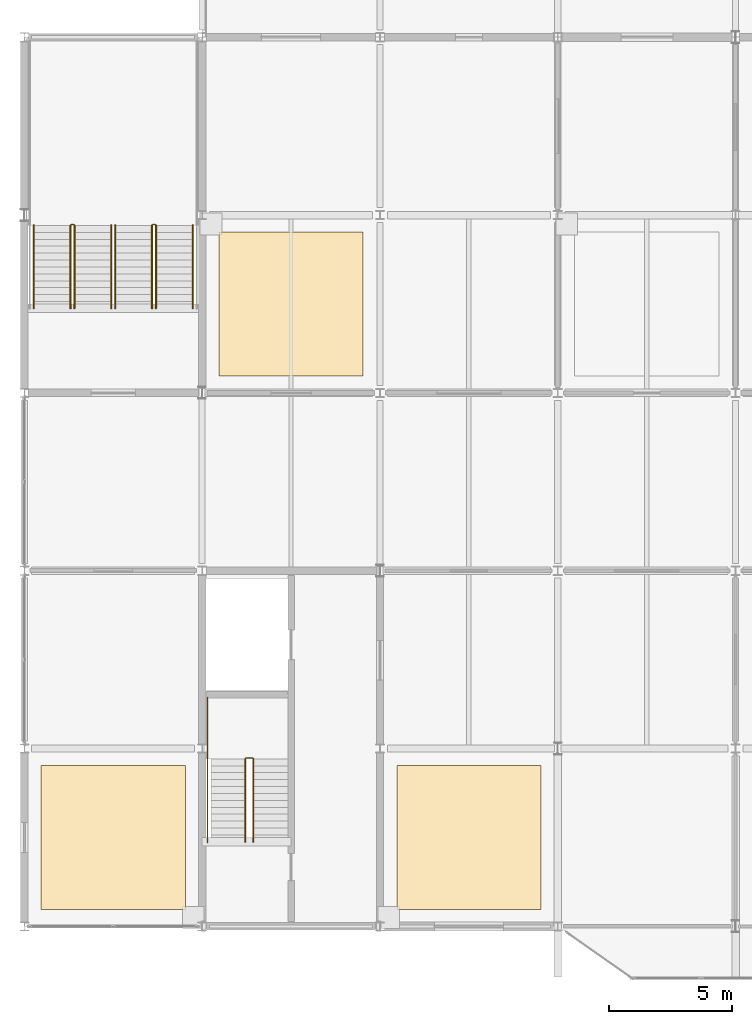
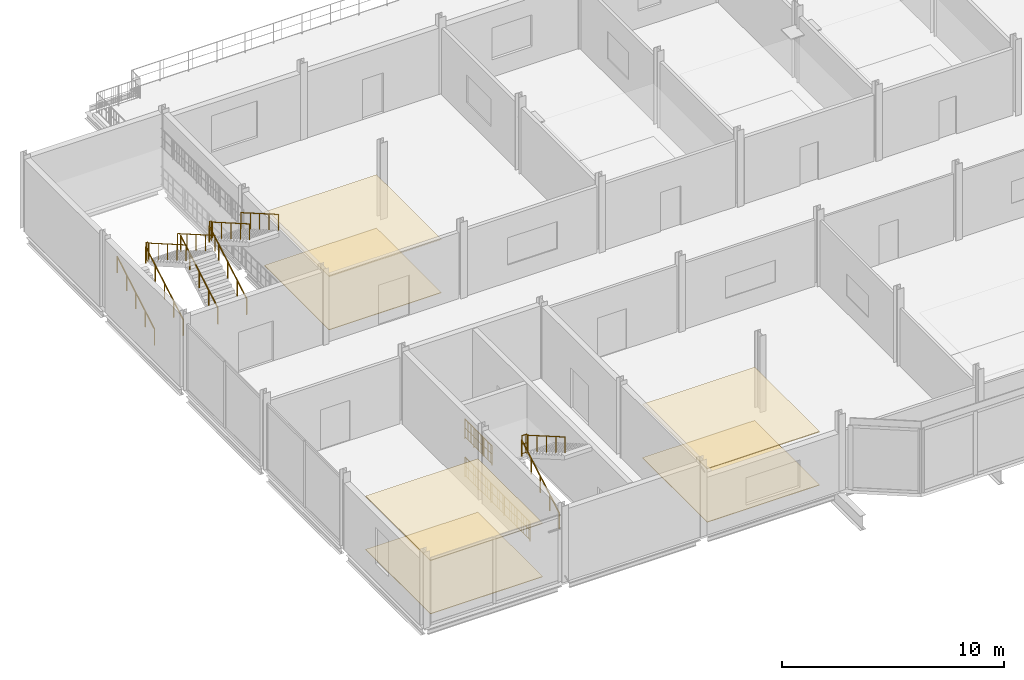
# One storey, part 23 of 26: 15 railings, 6 coverings.
"""IFC4 building model written with IfcOpenShell, lengths in metres."""

from ifc_helpers import new_model, si_unit, direction, frame, origin, origin_2d, place, context, subcontext, project, spatial, polyline, circle, outline, extrude, material, layer, layer_set, type_object, element, save


model = new_model("IFC4")

# Units and contexts
model_context = context("Model", 3, precision=1e-05, world=origin(), true_north=direction((0.0, 1.0)))
body_context = subcontext(model_context, "Body", "Model", "MODEL_VIEW")
ifc_project = project(units=[si_unit("LENGTHUNIT", "METRE"), si_unit("AREAUNIT", "SQUARE_METRE"), si_unit("VOLUMEUNIT", "CUBIC_METRE"), si_unit("PLANEANGLEUNIT", "RADIAN"), si_unit("MASSUNIT", "GRAM", prefix="KILO")], contexts=[model_context])

# Site, building, storey
site_placement = place(None, origin())
site = spatial("IfcSite", under=ifc_project, at=site_placement, CompositionType="ELEMENT")
building_placement = place(site_placement, origin())
building = spatial("IfcBuilding", under=site, at=building_placement, Name="Vesperath Aquatics Centre", CompositionType="ELEMENT")
storey_placement = place(building_placement, frame((0.0, 0.0, 19.199951171875)))
storey = spatial("IfcBuildingStorey", under=building, at=storey_placement, Name="L04", CompositionType="ELEMENT", Elevation=19.199951171875)

# Coverings
ifc_material_1 = material(Name="Perforated moisture-resistant acoustic mineral-fibre ceiling", Category="gypsum")
ifc_layer_1 = layer(ifc_material_1, 0.044921875)
ifc_layer_set_1 = layer_set([ifc_layer_1], Name="Perforated moisture-resistant acoustic mineral-fibre ceiling")
covering_type_1 = type_object("IfcCoveringType", Name="CV-CLG01", PredefinedType="CEILING", material=ifc_layer_set_1)
covering_1_placement = place(storey_placement, frame((0.0, 0.0, 2.925048828125)))
element("IfcCovering", 1, at=covering_1_placement, inside=storey, type_object=covering_type_1, Name="Acoustic Suspended Ceiling CLG1 L04_SPA_REC", PredefinedType="CEILING", context=body_context, shape_type="SweptSolid", body=[
    extrude(outline(polyline([(115.8798828125, 0.679931640625), (121.719970703125, 0.679931640625), (121.719970703125, 6.52001953125), (115.8798828125, 6.52001953125), (115.8798828125, 0.679931640625)])), origin(), (0.0, 0.0, 1.0), 0.044921875),
])
covering_2_placement = place(storey_placement, frame((0.0, 0.0, 2.925048828125)))
element("IfcCovering", 2, at=covering_2_placement, inside=storey, type_object=covering_type_1, Name="Acoustic Suspended Ceiling CLG1 L04_SAUNA", PredefinedType="CEILING", context=body_context, shape_type="SweptSolid", body=[
    extrude(outline(polyline([(130.280029296875, 0.679931640625), (136.1201171875, 0.679931640625), (136.1201171875, 6.52001953125), (130.280029296875, 6.52001953125), (130.280029296875, 0.679931640625)])), origin(), (0.0, 0.0, 1.0), 0.044921875),
])
covering_3_placement = place(storey_placement, frame((0.0, 0.0, 2.925048828125)))
element("IfcCovering", 3, at=covering_3_placement, inside=storey, type_object=covering_type_1, Name="Acoustic Suspended Ceiling CLG1 L04_SEMINAR_1", PredefinedType="CEILING", context=body_context, shape_type="SweptSolid", body=[
    extrude(outline(polyline([(123.080078125, 22.280029296875), (128.919921875, 22.280029296875), (128.919921875, 28.1201171875), (123.080078125, 28.1201171875), (123.080078125, 22.280029296875)])), origin(), (0.0, 0.0, 1.0), 0.044921875),
])
ifc_material_2 = material(Name="Slip-resistant vitrified ceramic and terrazzo flooring", Category="ceramic")
ifc_layer_2 = layer(ifc_material_2, 0.030029296875)
ifc_layer_set_2 = layer_set([ifc_layer_2], Name="Slip-resistant vitrified ceramic and terrazzo flooring")
covering_type_2 = type_object("IfcCoveringType", Name="CV-FLR01", PredefinedType="FLOORING", material=ifc_layer_set_2)
covering_4_placement = place(storey_placement, origin())
element("IfcCovering", 4, at=covering_4_placement, inside=storey, type_object=covering_type_2, Name="Slip-Resistant Floor Finish FLR1 L04_SPA_REC", PredefinedType="FLOORING", context=body_context, shape_type="SweptSolid", body=[
    extrude(outline(polyline([(115.8798828125, 0.679931640625), (121.719970703125, 0.679931640625), (121.719970703125, 6.52001953125), (115.8798828125, 6.52001953125), (115.8798828125, 0.679931640625)])), origin(), (0.0, 0.0, 1.0), 0.030029296875),
])
covering_5_placement = place(storey_placement, origin())
element("IfcCovering", 5, at=covering_5_placement, inside=storey, type_object=covering_type_2, Name="Slip-Resistant Floor Finish FLR1 L04_SAUNA", PredefinedType="FLOORING", context=body_context, shape_type="SweptSolid", body=[
    extrude(outline(polyline([(130.280029296875, 0.679931640625), (136.1201171875, 0.679931640625), (136.1201171875, 6.52001953125), (130.280029296875, 6.52001953125), (130.280029296875, 0.679931640625)])), origin(), (0.0, 0.0, 1.0), 0.030029296875),
])
covering_6_placement = place(storey_placement, origin())
element("IfcCovering", 6, at=covering_6_placement, inside=storey, type_object=covering_type_2, Name="Slip-Resistant Floor Finish FLR1 L04_SEMINAR_1", PredefinedType="FLOORING", context=body_context, shape_type="SweptSolid", body=[
    extrude(outline(polyline([(123.080078125, 22.280029296875), (128.919921875, 22.280029296875), (128.919921875, 28.1201171875), (123.080078125, 28.1201171875), (123.080078125, 22.280029296875)])), origin(), (0.0, 0.0, 1.0), 0.030029296875),
])

# Railings
ifc_material_3 = material(Name="Powder-coated galvanized steel safety guard", Category="steel")
railing_type_1 = type_object("IfcRailingType", Name="RL-GRD01", PredefinedType="GUARDRAIL", material=ifc_material_3)
railing_1_placement = place(storey_placement, frame((124.179931640625, 6.820068359375, 2.10009765625)))
element("IfcRailing", 7, at=railing_1_placement, inside=storey, type_object=railing_type_1, Name="Stair ST5 Half-Landing Slot Guard GR02 L04", PredefinedType="GUARDRAIL", context=body_context, shape_type="SweptSolid", body=[
    extrude(circle(Radius=0.02392578125, at=origin_2d()), frame((0.0, 0.0, 1.0859375), z_axis=(1.0, 0.0, 0.0), x_axis=(0.0, 1.0, 0.0)), (0.0, 0.0, 1.0), 0.260009765625),
    extrude(circle(Radius=0.01611328125, at=origin_2d()), frame((0.0, 0.0, 0.10009765625), z_axis=(1.0, 0.0, 0.0), x_axis=(0.0, 1.0, 0.0)), (0.0, 0.0, 1.0), 0.260009765625),
    extrude(circle(Radius=0.01611328125, at=origin_2d()), frame((0.0, 0.0, 0.610595703125), z_axis=(1.0, 0.0, 0.0), x_axis=(0.0, 1.0, 0.0)), (0.0, 0.0, 1.0), 0.260009765625),
    extrude(circle(Radius=0.009033203125, at=origin_2d()), frame((0.086669921875, 0.0, 0.10009765625)), (0.0, 0.0, 1.0), 0.9619140625),
    extrude(circle(Radius=0.009033203125, at=origin_2d()), frame((0.17333984375, 0.0, 0.10009765625)), (0.0, 0.0, 1.0), 0.9619140625),
    extrude(circle(Radius=0.02197265625, at=origin_2d()), origin(), (0.0, 0.0, 1.0), 1.0859375),
    extrude(circle(Radius=0.02197265625, at=origin_2d()), frame((0.260009765625, 0.0, 0.0)), (0.0, 0.0, 1.0), 1.0859375),
])
railing_2_placement = place(storey_placement, frame((122.6201171875, 6.820068359375, 2.10009765625)))
element("IfcRailing", 8, at=railing_2_placement, inside=storey, type_object=railing_type_1, Name="Stair ST5 Half-Landing Wall Guard GR02 L04", PredefinedType="GUARDRAIL", context=body_context, shape_type="SweptSolid", body=[
    extrude(circle(Radius=0.02392578125, at=origin_2d()), frame((0.0, 0.0, 1.0859375), z_axis=(0.0, 1.0, 0.0), x_axis=(-1.0, 0.0, 0.0)), (0.0, 0.0, 1.0), 2.43994140625),
    extrude(circle(Radius=0.01611328125, at=origin_2d()), frame((0.0, 0.0, 0.10009765625), z_axis=(0.0, 1.0, 0.0), x_axis=(-1.0, 0.0, 0.0)), (0.0, 0.0, 1.0), 2.43994140625),
    extrude(circle(Radius=0.01611328125, at=origin_2d()), frame((0.0, 0.0, 0.610595703125), z_axis=(0.0, 1.0, 0.0), x_axis=(-1.0, 0.0, 0.0)), (0.0, 0.0, 1.0), 2.43994140625),
    extrude(circle(Radius=0.009033203125, at=origin_2d()), frame((0.0, 0.106201171875, 0.10009765625)), (0.0, 0.0, 1.0), 0.9619140625),
    extrude(circle(Radius=0.009033203125, at=origin_2d()), frame((0.0, 0.212158203125, 0.10009765625)), (0.0, 0.0, 1.0), 0.9619140625),
    extrude(circle(Radius=0.009033203125, at=origin_2d()), frame((0.0, 0.318359375, 0.10009765625)), (0.0, 0.0, 1.0), 0.9619140625),
    extrude(circle(Radius=0.009033203125, at=origin_2d()), frame((0.0, 0.42431640625, 0.10009765625)), (0.0, 0.0, 1.0), 0.9619140625),
    extrude(circle(Radius=0.009033203125, at=origin_2d()), frame((0.0, 0.530517578125, 0.10009765625)), (0.0, 0.0, 1.0), 0.9619140625),
    extrude(circle(Radius=0.009033203125, at=origin_2d()), frame((0.0, 0.636474609375, 0.10009765625)), (0.0, 0.0, 1.0), 0.9619140625),
    extrude(circle(Radius=0.009033203125, at=origin_2d()), frame((0.0, 0.74267578125, 0.10009765625)), (0.0, 0.0, 1.0), 0.9619140625),
    extrude(circle(Radius=0.009033203125, at=origin_2d()), frame((0.0, 0.8486328125, 0.10009765625)), (0.0, 0.0, 1.0), 0.9619140625),
    extrude(circle(Radius=0.009033203125, at=origin_2d()), frame((0.0, 0.954833984375, 0.10009765625)), (0.0, 0.0, 1.0), 0.9619140625),
    extrude(circle(Radius=0.009033203125, at=origin_2d()), frame((0.0, 1.060791015625, 0.10009765625)), (0.0, 0.0, 1.0), 0.9619140625),
    extrude(circle(Radius=0.009033203125, at=origin_2d()), frame((0.0, 1.1669921875, 0.10009765625)), (0.0, 0.0, 1.0), 0.9619140625),
    extrude(circle(Radius=0.009033203125, at=origin_2d()), frame((0.0, 1.27294921875, 0.10009765625)), (0.0, 0.0, 1.0), 0.9619140625),
    extrude(circle(Radius=0.009033203125, at=origin_2d()), frame((0.0, 1.379150390625, 0.10009765625)), (0.0, 0.0, 1.0), 0.9619140625),
    extrude(circle(Radius=0.009033203125, at=origin_2d()), frame((0.0, 1.485107421875, 0.10009765625)), (0.0, 0.0, 1.0), 0.9619140625),
    extrude(circle(Radius=0.009033203125, at=origin_2d()), frame((0.0, 1.59130859375, 0.10009765625)), (0.0, 0.0, 1.0), 0.9619140625),
    extrude(circle(Radius=0.009033203125, at=origin_2d()), frame((0.0, 1.697265625, 0.10009765625)), (0.0, 0.0, 1.0), 0.9619140625),
    extrude(circle(Radius=0.009033203125, at=origin_2d()), frame((0.0, 1.803466796875, 0.10009765625)), (0.0, 0.0, 1.0), 0.9619140625),
    extrude(circle(Radius=0.009033203125, at=origin_2d()), frame((0.0, 1.909423828125, 0.10009765625)), (0.0, 0.0, 1.0), 0.9619140625),
    extrude(circle(Radius=0.009033203125, at=origin_2d()), frame((0.0, 2.015625, 0.10009765625)), (0.0, 0.0, 1.0), 0.9619140625),
    extrude(circle(Radius=0.009033203125, at=origin_2d()), frame((0.0, 2.12158203125, 0.10009765625)), (0.0, 0.0, 1.0), 0.9619140625),
    extrude(circle(Radius=0.009033203125, at=origin_2d()), frame((0.0, 2.227783203125, 0.10009765625)), (0.0, 0.0, 1.0), 0.9619140625),
    extrude(circle(Radius=0.009033203125, at=origin_2d()), frame((0.0, 2.333740234375, 0.10009765625)), (0.0, 0.0, 1.0), 0.9619140625),
    extrude(circle(Radius=0.02197265625, at=origin_2d()), origin(), (0.0, 0.0, 1.0), 1.0859375),
    extrude(circle(Radius=0.02197265625, at=origin_2d()), frame((0.0, 0.813232421875, 0.0)), (0.0, 0.0, 1.0), 1.0859375),
    extrude(circle(Radius=0.02197265625, at=origin_2d()), frame((0.0, 1.626708984375, 0.0)), (0.0, 0.0, 1.0), 1.0859375),
    extrude(circle(Radius=0.02197265625, at=origin_2d()), frame((0.0, 2.43994140625, 0.0)), (0.0, 0.0, 1.0), 1.0859375),
])
railing_3_placement = place(storey_placement, frame((122.6201171875, 3.39990234375, 0.0)))
element("IfcRailing", 9, at=railing_3_placement, inside=storey, type_object=railing_type_1, Name="Stair ST5 Shaft Side Guard GR02 L04", PredefinedType="GUARDRAIL", context=body_context, shape_type="SweptSolid", body=[
    extrude(circle(Radius=0.02392578125, at=origin_2d()), frame((0.0, 0.0, 1.0859375), z_axis=(0.0, 1.0, 0.0), x_axis=(-1.0, 0.0, 0.0)), (0.0, 0.0, 1.0), 5.840087890625),
    extrude(circle(Radius=0.01611328125, at=origin_2d()), frame((0.0, 0.0, 0.10009765625), z_axis=(0.0, 1.0, 0.0), x_axis=(-1.0, 0.0, 0.0)), (0.0, 0.0, 1.0), 5.840087890625),
    extrude(circle(Radius=0.01611328125, at=origin_2d()), frame((0.0, 0.0, 0.610595703125), z_axis=(0.0, 1.0, 0.0), x_axis=(-1.0, 0.0, 0.0)), (0.0, 0.0, 1.0), 5.840087890625),
    extrude(circle(Radius=0.009033203125, at=origin_2d()), frame((0.0, 0.108154296875, 0.10009765625)), (0.0, 0.0, 1.0), 0.9619140625),
    extrude(circle(Radius=0.009033203125, at=origin_2d()), frame((0.0, 0.324462890625, 0.10009765625)), (0.0, 0.0, 1.0), 0.9619140625),
    extrude(circle(Radius=0.009033203125, at=origin_2d()), frame((0.0, 0.540771484375, 0.10009765625)), (0.0, 0.0, 1.0), 0.9619140625),
    extrude(circle(Radius=0.009033203125, at=origin_2d()), frame((0.0, 0.757080078125, 0.10009765625)), (0.0, 0.0, 1.0), 0.9619140625),
    extrude(circle(Radius=0.009033203125, at=origin_2d()), frame((0.0, 0.973388671875, 0.10009765625)), (0.0, 0.0, 1.0), 0.9619140625),
    extrude(circle(Radius=0.009033203125, at=origin_2d()), frame((0.0, 1.189697265625, 0.10009765625)), (0.0, 0.0, 1.0), 0.9619140625),
    extrude(circle(Radius=0.009033203125, at=origin_2d()), frame((0.0, 1.406005859375, 0.10009765625)), (0.0, 0.0, 1.0), 0.9619140625),
    extrude(circle(Radius=0.009033203125, at=origin_2d()), frame((0.0, 1.622314453125, 0.10009765625)), (0.0, 0.0, 1.0), 0.9619140625),
    extrude(circle(Radius=0.009033203125, at=origin_2d()), frame((0.0, 1.838623046875, 0.10009765625)), (0.0, 0.0, 1.0), 0.9619140625),
    extrude(circle(Radius=0.009033203125, at=origin_2d()), frame((0.0, 2.054931640625, 0.10009765625)), (0.0, 0.0, 1.0), 0.9619140625),
    extrude(circle(Radius=0.009033203125, at=origin_2d()), frame((0.0, 2.271240234375, 0.10009765625)), (0.0, 0.0, 1.0), 0.9619140625),
    extrude(circle(Radius=0.009033203125, at=origin_2d()), frame((0.0, 2.487548828125, 0.10009765625)), (0.0, 0.0, 1.0), 0.9619140625),
    extrude(circle(Radius=0.009033203125, at=origin_2d()), frame((0.0, 2.703857421875, 0.10009765625)), (0.0, 0.0, 1.0), 0.9619140625),
    extrude(circle(Radius=0.009033203125, at=origin_2d()), frame((0.0, 2.919921875, 0.10009765625)), (0.0, 0.0, 1.0), 0.9619140625),
    extrude(circle(Radius=0.009033203125, at=origin_2d()), frame((0.0, 3.13623046875, 0.10009765625)), (0.0, 0.0, 1.0), 0.9619140625),
    extrude(circle(Radius=0.009033203125, at=origin_2d()), frame((0.0, 3.3525390625, 0.10009765625)), (0.0, 0.0, 1.0), 0.9619140625),
    extrude(circle(Radius=0.009033203125, at=origin_2d()), frame((0.0, 3.56884765625, 0.10009765625)), (0.0, 0.0, 1.0), 0.9619140625),
    extrude(circle(Radius=0.009033203125, at=origin_2d()), frame((0.0, 3.78515625, 0.10009765625)), (0.0, 0.0, 1.0), 0.9619140625),
    extrude(circle(Radius=0.009033203125, at=origin_2d()), frame((0.0, 4.00146484375, 0.10009765625)), (0.0, 0.0, 1.0), 0.9619140625),
    extrude(circle(Radius=0.009033203125, at=origin_2d()), frame((0.0, 4.2177734375, 0.10009765625)), (0.0, 0.0, 1.0), 0.9619140625),
    extrude(circle(Radius=0.009033203125, at=origin_2d()), frame((0.0, 4.43408203125, 0.10009765625)), (0.0, 0.0, 1.0), 0.9619140625),
    extrude(circle(Radius=0.009033203125, at=origin_2d()), frame((0.0, 4.650390625, 0.10009765625)), (0.0, 0.0, 1.0), 0.9619140625),
    extrude(circle(Radius=0.009033203125, at=origin_2d()), frame((0.0, 4.86669921875, 0.10009765625)), (0.0, 0.0, 1.0), 0.9619140625),
    extrude(circle(Radius=0.009033203125, at=origin_2d()), frame((0.0, 5.0830078125, 0.10009765625)), (0.0, 0.0, 1.0), 0.9619140625),
    extrude(circle(Radius=0.009033203125, at=origin_2d()), frame((0.0, 5.29931640625, 0.10009765625)), (0.0, 0.0, 1.0), 0.9619140625),
    extrude(circle(Radius=0.009033203125, at=origin_2d()), frame((0.0, 5.515625, 0.10009765625)), (0.0, 0.0, 1.0), 0.9619140625),
    extrude(circle(Radius=0.009033203125, at=origin_2d()), frame((0.0, 5.73193359375, 0.10009765625)), (0.0, 0.0, 1.0), 0.9619140625),
    extrude(circle(Radius=0.02197265625, at=origin_2d()), origin(), (0.0, 0.0, 1.0), 1.0859375),
    extrude(circle(Radius=0.02197265625, at=origin_2d()), frame((0.0, 1.16796875, 0.0)), (0.0, 0.0, 1.0), 1.0859375),
    extrude(circle(Radius=0.02197265625, at=origin_2d()), frame((0.0, 2.3359375, 0.0)), (0.0, 0.0, 1.0), 1.0859375),
    extrude(circle(Radius=0.02197265625, at=origin_2d()), frame((0.0, 3.504150390625, 0.0)), (0.0, 0.0, 1.0), 1.0859375),
    extrude(circle(Radius=0.02197265625, at=origin_2d()), frame((0.0, 4.672119140625, 0.0)), (0.0, 0.0, 1.0), 1.0859375),
    extrude(circle(Radius=0.02197265625, at=origin_2d()), frame((0.0, 5.840087890625, 0.0)), (0.0, 0.0, 1.0), 1.0859375),
])
railing_4_placement = place(storey_placement, frame((117.10009765625, 28.419921875, 2.10009765625)))
element("IfcRailing", 10, at=railing_4_placement, inside=storey, type_object=railing_type_1, Name="Stair ST7A Half-Landing Slot Guard GR02 L04", PredefinedType="GUARDRAIL", context=body_context, shape_type="SweptSolid", body=[
    extrude(circle(Radius=0.02392578125, at=origin_2d()), frame((0.0, 0.0, 1.0859375), z_axis=(1.0, 0.0, 0.0), x_axis=(0.0, 1.0, 0.0)), (0.0, 0.0, 1.0), 0.099853515625),
    extrude(circle(Radius=0.01611328125, at=origin_2d()), frame((0.0, 0.0, 0.10009765625), z_axis=(1.0, 0.0, 0.0), x_axis=(0.0, 1.0, 0.0)), (0.0, 0.0, 1.0), 0.099853515625),
    extrude(circle(Radius=0.01611328125, at=origin_2d()), frame((0.0, 0.0, 0.610595703125), z_axis=(1.0, 0.0, 0.0), x_axis=(0.0, 1.0, 0.0)), (0.0, 0.0, 1.0), 0.099853515625),
    extrude(circle(Radius=0.009033203125, at=origin_2d()), frame((0.0498046875, 0.0, 0.10009765625)), (0.0, 0.0, 1.0), 0.9619140625),
    extrude(circle(Radius=0.02197265625, at=origin_2d()), origin(), (0.0, 0.0, 1.0), 1.0859375),
    extrude(circle(Radius=0.02197265625, at=origin_2d()), frame((0.099853515625, 0.0, 0.0)), (0.0, 0.0, 1.0), 1.0859375),
])
railing_5_placement = place(storey_placement, frame((120.39990234375, 28.419921875, 2.10009765625)))
element("IfcRailing", 11, at=railing_5_placement, inside=storey, type_object=railing_type_1, Name="Stair ST7B Half-Landing Slot Guard GR02 L04", PredefinedType="GUARDRAIL", context=body_context, shape_type="SweptSolid", body=[
    extrude(circle(Radius=0.02392578125, at=origin_2d()), frame((0.0, 0.0, 1.0859375), z_axis=(1.0, 0.0, 0.0), x_axis=(0.0, 1.0, 0.0)), (0.0, 0.0, 1.0), 0.10009765625),
    extrude(circle(Radius=0.01611328125, at=origin_2d()), frame((0.0, 0.0, 0.10009765625), z_axis=(1.0, 0.0, 0.0), x_axis=(0.0, 1.0, 0.0)), (0.0, 0.0, 1.0), 0.10009765625),
    extrude(circle(Radius=0.01611328125, at=origin_2d()), frame((0.0, 0.0, 0.610595703125), z_axis=(1.0, 0.0, 0.0), x_axis=(0.0, 1.0, 0.0)), (0.0, 0.0, 1.0), 0.10009765625),
    extrude(circle(Radius=0.009033203125, at=origin_2d()), frame((0.050048828125, 0.0, 0.10009765625)), (0.0, 0.0, 1.0), 0.9619140625),
    extrude(circle(Radius=0.02197265625, at=origin_2d()), origin(), (0.0, 0.0, 1.0), 1.0859375),
    extrude(circle(Radius=0.02197265625, at=origin_2d()), frame((0.10009765625, 0.0, 0.0)), (0.0, 0.0, 1.0), 1.0859375),
])
ifc_material_4 = material(Name="Brushed stainless steel tubular handrail", Category="steel")
railing_type_2 = type_object("IfcRailingType", Name="RL-HND01", PredefinedType="HANDRAIL", material=ifc_material_4)
railing_6_placement = place(storey_placement, frame((124.14990234375, 3.419921875, 0.16162109375)))
element("IfcRailing", 12, at=railing_6_placement, inside=storey, type_object=railing_type_2, Name="Stair ST5 Flight 1 Handrail HR01 L04", PredefinedType="HANDRAIL", context=body_context, shape_type="SweptSolid", body=[
    extrude(circle(Radius=0.02392578125, at=origin_2d()), frame((0.0, 0.0, 0.8759765625), z_axis=(0.0, 0.866190824863, 0.499713372768), x_axis=(-1.0, 0.0, 0.0)), (0.0, 0.0, 1.0), 3.879150390625),
    extrude(circle(Radius=0.02197265625, at=origin_2d()), origin(), (0.0, 0.0, 1.0), 0.8759765625),
    extrude(circle(Radius=0.02197265625, at=origin_2d()), frame((0.0, 0.840087890625, 0.484619140625)), (0.0, 0.0, 1.0), 0.8759765625),
    extrude(circle(Radius=0.02197265625, at=origin_2d()), frame((0.0, 1.68017578125, 0.96923828125)), (0.0, 0.0, 1.0), 0.8759765625),
    extrude(circle(Radius=0.02197265625, at=origin_2d()), frame((0.0, 2.52001953125, 1.453857421875)), (0.0, 0.0, 1.0), 0.8759765625),
    extrude(circle(Radius=0.02197265625, at=origin_2d()), frame((0.0, 3.360107421875, 1.9384765625)), (0.0, 0.0, 1.0), 0.8759765625),
])
railing_7_placement = place(storey_placement, frame((124.469970703125, 6.780029296875, 2.261474609375)))
element("IfcRailing", 13, at=railing_7_placement, inside=storey, type_object=railing_type_2, Name="Stair ST5 Flight 2 Handrail HR01 L04", PredefinedType="HANDRAIL", context=body_context, shape_type="SweptSolid", body=[
    extrude(circle(Radius=0.02392578125, at=origin_2d()), frame((0.0, 0.0, 0.8759765625), z_axis=(0.0, -0.866190824863, 0.499713372768), x_axis=(1.0, 0.0, 0.0)), (0.0, 0.0, 1.0), 3.879150390625),
    extrude(circle(Radius=0.02197265625, at=origin_2d()), origin(), (0.0, 0.0, 1.0), 0.8759765625),
    extrude(circle(Radius=0.02197265625, at=origin_2d()), frame((0.0, -0.840087890625, 0.484619140625)), (0.0, 0.0, 1.0), 0.8759765625),
    extrude(circle(Radius=0.02197265625, at=origin_2d()), frame((0.0, -1.68017578125, 0.96923828125)), (0.0, 0.0, 1.0), 0.8759765625),
    extrude(circle(Radius=0.02197265625, at=origin_2d()), frame((0.0, -2.52001953125, 1.453857421875)), (0.0, 0.0, 1.0), 0.8759765625),
    extrude(circle(Radius=0.02197265625, at=origin_2d()), frame((0.0, -3.360107421875, 1.9384765625)), (0.0, 0.0, 1.0), 0.8759765625),
])
railing_8_placement = place(storey_placement, frame((117.070068359375, 25.02001953125, 0.16162109375)))
element("IfcRailing", 14, at=railing_8_placement, inside=storey, type_object=railing_type_2, Name="Stair ST7A Flight 1 Handrail HR01 L04", PredefinedType="HANDRAIL", context=body_context, shape_type="SweptSolid", body=[
    extrude(circle(Radius=0.02392578125, at=origin_2d()), frame((0.0, 0.0, 0.8759765625), z_axis=(0.0, 0.866175107563, 0.499740615757), x_axis=(-1.0, 0.0, 0.0)), (0.0, 0.0, 1.0), 3.87890625),
    extrude(circle(Radius=0.02197265625, at=origin_2d()), origin(), (0.0, 0.0, 1.0), 0.8759765625),
    extrude(circle(Radius=0.02197265625, at=origin_2d()), frame((0.0, 0.83984375, 0.484619140625)), (0.0, 0.0, 1.0), 0.8759765625),
    extrude(circle(Radius=0.02197265625, at=origin_2d()), frame((0.0, 1.679931640625, 0.96923828125)), (0.0, 0.0, 1.0), 0.8759765625),
    extrude(circle(Radius=0.02197265625, at=origin_2d()), frame((0.0, 2.52001953125, 1.453857421875)), (0.0, 0.0, 1.0), 0.8759765625),
    extrude(circle(Radius=0.02197265625, at=origin_2d()), frame((0.0, 3.35986328125, 1.9384765625)), (0.0, 0.0, 1.0), 0.8759765625),
])
railing_9_placement = place(storey_placement, frame((117.22998046875, 28.3798828125, 2.261474609375)))
element("IfcRailing", 15, at=railing_9_placement, inside=storey, type_object=railing_type_2, Name="Stair ST7A Flight 2 Handrail HR01 L04", PredefinedType="HANDRAIL", context=body_context, shape_type="SweptSolid", body=[
    extrude(circle(Radius=0.02392578125, at=origin_2d()), frame((0.0, 0.0, 0.8759765625), z_axis=(0.0, -0.866175107563, 0.499740615757), x_axis=(1.0, 0.0, 0.0)), (0.0, 0.0, 1.0), 3.87890625),
    extrude(circle(Radius=0.02197265625, at=origin_2d()), origin(), (0.0, 0.0, 1.0), 0.8759765625),
    extrude(circle(Radius=0.02197265625, at=origin_2d()), frame((0.0, -0.83984375, 0.484619140625)), (0.0, 0.0, 1.0), 0.8759765625),
    extrude(circle(Radius=0.02197265625, at=origin_2d()), frame((0.0, -1.679931640625, 0.96923828125)), (0.0, 0.0, 1.0), 0.8759765625),
    extrude(circle(Radius=0.02197265625, at=origin_2d()), frame((0.0, -2.52001953125, 1.453857421875)), (0.0, 0.0, 1.0), 0.8759765625),
    extrude(circle(Radius=0.02197265625, at=origin_2d()), frame((0.0, -3.35986328125, 1.9384765625)), (0.0, 0.0, 1.0), 0.8759765625),
])
railing_10_placement = place(storey_placement, frame((115.580078125, 25.02001953125, 0.16162109375)))
element("IfcRailing", 16, at=railing_10_placement, inside=storey, type_object=railing_type_2, Name="Stair ST7A Flight 1 Handrail HR01 L04", PredefinedType="HANDRAIL", context=body_context, shape_type="SweptSolid", body=[
    extrude(circle(Radius=0.02392578125, at=origin_2d()), frame((0.0, 0.0, 0.8759765625), z_axis=(0.0, 0.866175107563, 0.499740615757), x_axis=(-1.0, 0.0, 0.0)), (0.0, 0.0, 1.0), 3.87890625),
    extrude(circle(Radius=0.02197265625, at=origin_2d()), origin(), (0.0, 0.0, 1.0), 0.8759765625),
    extrude(circle(Radius=0.02197265625, at=origin_2d()), frame((0.0, 0.83984375, 0.484619140625)), (0.0, 0.0, 1.0), 0.8759765625),
    extrude(circle(Radius=0.02197265625, at=origin_2d()), frame((0.0, 1.679931640625, 0.96923828125)), (0.0, 0.0, 1.0), 0.8759765625),
    extrude(circle(Radius=0.02197265625, at=origin_2d()), frame((0.0, 2.52001953125, 1.453857421875)), (0.0, 0.0, 1.0), 0.8759765625),
    extrude(circle(Radius=0.02197265625, at=origin_2d()), frame((0.0, 3.35986328125, 1.9384765625)), (0.0, 0.0, 1.0), 0.8759765625),
])
railing_11_placement = place(storey_placement, frame((118.719970703125, 28.3798828125, 2.261474609375)))
element("IfcRailing", 17, at=railing_11_placement, inside=storey, type_object=railing_type_2, Name="Stair ST7A Flight 2 Handrail HR01 L04", PredefinedType="HANDRAIL", context=body_context, shape_type="SweptSolid", body=[
    extrude(circle(Radius=0.02392578125, at=origin_2d()), frame((0.0, 0.0, 0.8759765625), z_axis=(0.0, -0.866175107563, 0.499740615757), x_axis=(1.0, 0.0, 0.0)), (0.0, 0.0, 1.0), 3.87890625),
    extrude(circle(Radius=0.02197265625, at=origin_2d()), origin(), (0.0, 0.0, 1.0), 0.8759765625),
    extrude(circle(Radius=0.02197265625, at=origin_2d()), frame((0.0, -0.83984375, 0.484619140625)), (0.0, 0.0, 1.0), 0.8759765625),
    extrude(circle(Radius=0.02197265625, at=origin_2d()), frame((0.0, -1.679931640625, 0.96923828125)), (0.0, 0.0, 1.0), 0.8759765625),
    extrude(circle(Radius=0.02197265625, at=origin_2d()), frame((0.0, -2.52001953125, 1.453857421875)), (0.0, 0.0, 1.0), 0.8759765625),
    extrude(circle(Radius=0.02197265625, at=origin_2d()), frame((0.0, -3.35986328125, 1.9384765625)), (0.0, 0.0, 1.0), 0.8759765625),
])
railing_12_placement = place(storey_placement, frame((120.3701171875, 25.02001953125, 0.16162109375)))
element("IfcRailing", 18, at=railing_12_placement, inside=storey, type_object=railing_type_2, Name="Stair ST7B Flight 1 Handrail HR01 L04", PredefinedType="HANDRAIL", context=body_context, shape_type="SweptSolid", body=[
    extrude(circle(Radius=0.02392578125, at=origin_2d()), frame((0.0, 0.0, 0.8759765625), z_axis=(0.0, 0.866175107563, 0.499740615757), x_axis=(-1.0, 0.0, 0.0)), (0.0, 0.0, 1.0), 3.87890625),
    extrude(circle(Radius=0.02197265625, at=origin_2d()), origin(), (0.0, 0.0, 1.0), 0.8759765625),
    extrude(circle(Radius=0.02197265625, at=origin_2d()), frame((0.0, 0.83984375, 0.484619140625)), (0.0, 0.0, 1.0), 0.8759765625),
    extrude(circle(Radius=0.02197265625, at=origin_2d()), frame((0.0, 1.679931640625, 0.96923828125)), (0.0, 0.0, 1.0), 0.8759765625),
    extrude(circle(Radius=0.02197265625, at=origin_2d()), frame((0.0, 2.52001953125, 1.453857421875)), (0.0, 0.0, 1.0), 0.8759765625),
    extrude(circle(Radius=0.02197265625, at=origin_2d()), frame((0.0, 3.35986328125, 1.9384765625)), (0.0, 0.0, 1.0), 0.8759765625),
])
railing_13_placement = place(storey_placement, frame((120.530029296875, 28.3798828125, 2.261474609375)))
element("IfcRailing", 19, at=railing_13_placement, inside=storey, type_object=railing_type_2, Name="Stair ST7B Flight 2 Handrail HR01 L04", PredefinedType="HANDRAIL", context=body_context, shape_type="SweptSolid", body=[
    extrude(circle(Radius=0.02392578125, at=origin_2d()), frame((0.0, 0.0, 0.8759765625), z_axis=(0.0, -0.866175107563, 0.499740615757), x_axis=(1.0, 0.0, 0.0)), (0.0, 0.0, 1.0), 3.87890625),
    extrude(circle(Radius=0.02197265625, at=origin_2d()), origin(), (0.0, 0.0, 1.0), 0.8759765625),
    extrude(circle(Radius=0.02197265625, at=origin_2d()), frame((0.0, -0.83984375, 0.484619140625)), (0.0, 0.0, 1.0), 0.8759765625),
    extrude(circle(Radius=0.02197265625, at=origin_2d()), frame((0.0, -1.679931640625, 0.96923828125)), (0.0, 0.0, 1.0), 0.8759765625),
    extrude(circle(Radius=0.02197265625, at=origin_2d()), frame((0.0, -2.52001953125, 1.453857421875)), (0.0, 0.0, 1.0), 0.8759765625),
    extrude(circle(Radius=0.02197265625, at=origin_2d()), frame((0.0, -3.35986328125, 1.9384765625)), (0.0, 0.0, 1.0), 0.8759765625),
])
railing_14_placement = place(storey_placement, frame((118.8798828125, 25.02001953125, 0.16162109375)))
element("IfcRailing", 20, at=railing_14_placement, inside=storey, type_object=railing_type_2, Name="Stair ST7B Flight 1 Handrail HR01 L04", PredefinedType="HANDRAIL", context=body_context, shape_type="SweptSolid", body=[
    extrude(circle(Radius=0.02392578125, at=origin_2d()), frame((0.0, 0.0, 0.8759765625), z_axis=(0.0, 0.866175107563, 0.499740615757), x_axis=(-1.0, 0.0, 0.0)), (0.0, 0.0, 1.0), 3.87890625),
    extrude(circle(Radius=0.02197265625, at=origin_2d()), origin(), (0.0, 0.0, 1.0), 0.8759765625),
    extrude(circle(Radius=0.02197265625, at=origin_2d()), frame((0.0, 0.83984375, 0.484619140625)), (0.0, 0.0, 1.0), 0.8759765625),
    extrude(circle(Radius=0.02197265625, at=origin_2d()), frame((0.0, 1.679931640625, 0.96923828125)), (0.0, 0.0, 1.0), 0.8759765625),
    extrude(circle(Radius=0.02197265625, at=origin_2d()), frame((0.0, 2.52001953125, 1.453857421875)), (0.0, 0.0, 1.0), 0.8759765625),
    extrude(circle(Radius=0.02197265625, at=origin_2d()), frame((0.0, 3.35986328125, 1.9384765625)), (0.0, 0.0, 1.0), 0.8759765625),
])
railing_15_placement = place(storey_placement, frame((122.02001953125, 28.3798828125, 2.261474609375)))
element("IfcRailing", 21, at=railing_15_placement, inside=storey, type_object=railing_type_2, Name="Stair ST7B Flight 2 Handrail HR01 L04", PredefinedType="HANDRAIL", context=body_context, shape_type="SweptSolid", body=[
    extrude(circle(Radius=0.02392578125, at=origin_2d()), frame((0.0, 0.0, 0.8759765625), z_axis=(0.0, -0.866175107563, 0.499740615757), x_axis=(1.0, 0.0, 0.0)), (0.0, 0.0, 1.0), 3.87890625),
    extrude(circle(Radius=0.02197265625, at=origin_2d()), origin(), (0.0, 0.0, 1.0), 0.8759765625),
    extrude(circle(Radius=0.02197265625, at=origin_2d()), frame((0.0, -0.83984375, 0.484619140625)), (0.0, 0.0, 1.0), 0.8759765625),
    extrude(circle(Radius=0.02197265625, at=origin_2d()), frame((0.0, -1.679931640625, 0.96923828125)), (0.0, 0.0, 1.0), 0.8759765625),
    extrude(circle(Radius=0.02197265625, at=origin_2d()), frame((0.0, -2.52001953125, 1.453857421875)), (0.0, 0.0, 1.0), 0.8759765625),
    extrude(circle(Radius=0.02197265625, at=origin_2d()), frame((0.0, -3.35986328125, 1.9384765625)), (0.0, 0.0, 1.0), 0.8759765625),
])

save(model, "model.ifc")
